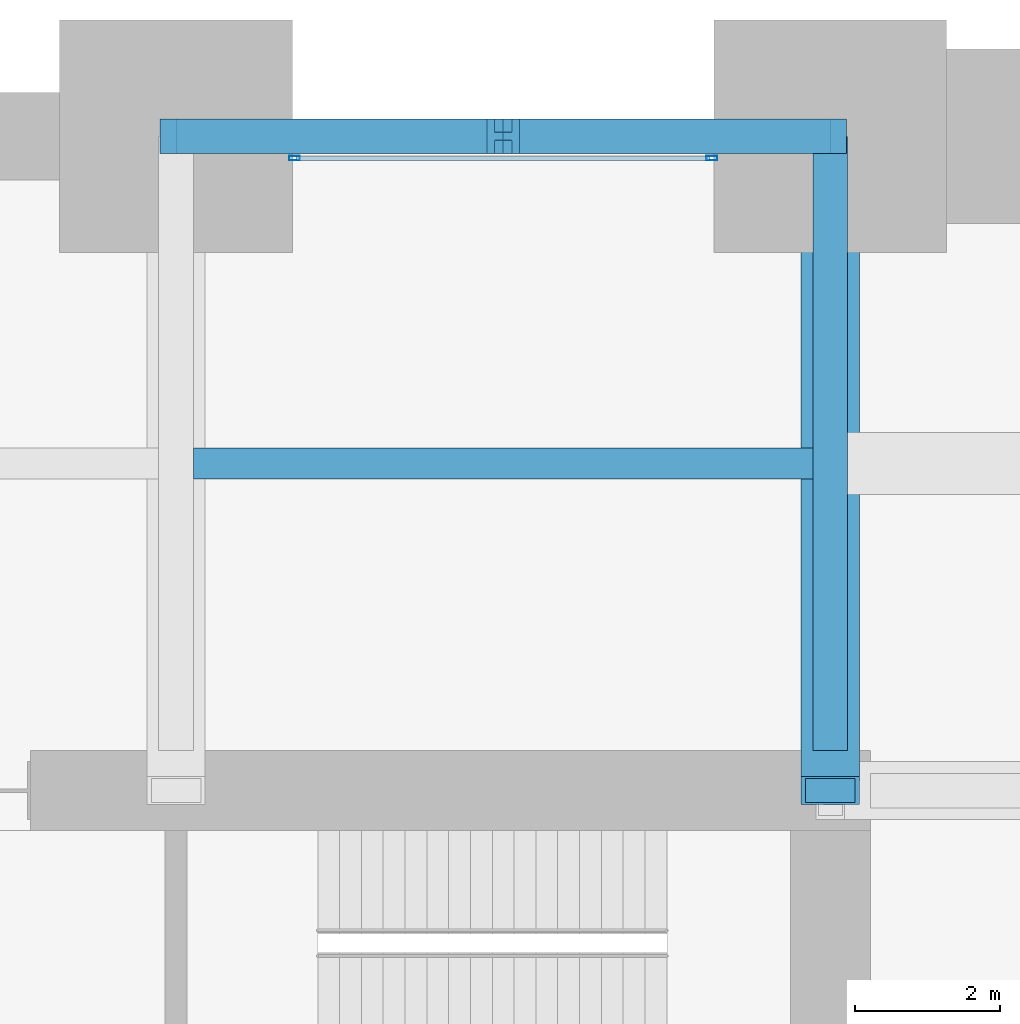
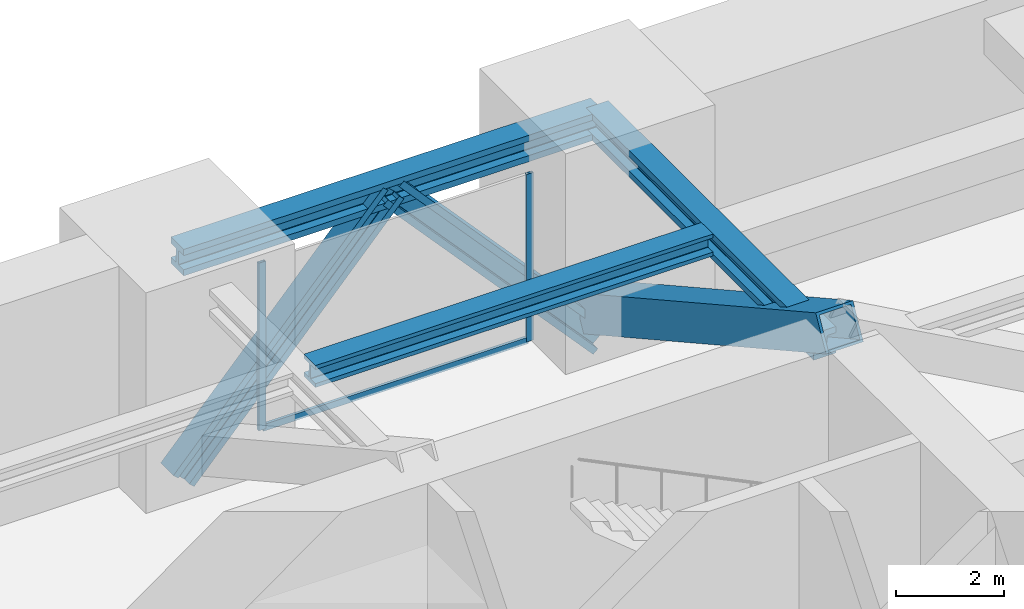
# One storey, part 29 of 38: 6 members, 3 beams, 1 element without a shape of its own.
"""IFC4 building model written with IfcOpenShell, lengths in metres."""

from ifc_helpers import new_model, si_unit, direction, frame, origin, origin_2d, place, context, subcontext, project, spatial, hollow_rectangle, i_section, extrude, material, material_profile, profile_set, type_object, element, aggregate, save


model = new_model("IFC4")

# Units and contexts
model_context = context("Model", 3, precision=1e-05, world=origin(), true_north=direction((0.0, 1.0)))
body_context = subcontext(model_context, "Body", "Model", "MODEL_VIEW")
ifc_project = project(units=[si_unit("LENGTHUNIT", "METRE"), si_unit("AREAUNIT", "SQUARE_METRE"), si_unit("VOLUMEUNIT", "CUBIC_METRE"), si_unit("PLANEANGLEUNIT", "RADIAN"), si_unit("MASSUNIT", "GRAM", prefix="KILO")], contexts=[model_context])

# Site, building, storey
site_placement = place(None, origin())
site = spatial("IfcSite", under=ifc_project, at=site_placement, CompositionType="ELEMENT")
building_placement = place(site_placement, origin())
building = spatial("IfcBuilding", under=site, at=building_placement, Name="Zorevar Civic Tower", CompositionType="ELEMENT")
storey_placement = place(building_placement, frame((0.0, 0.0, 157.199951171875)))
storey = spatial("IfcBuildingStorey", under=building, at=storey_placement, Name="L38", CompositionType="ELEMENT", Elevation=157.199951171875)

# Beam
ifc_material_1 = material(Name="Steel S460M (HISTAR 460)", Category="steel")
ifc_material_profile_1 = material_profile(ifc_material_1, i_section(OverallWidth=0.47607421875, OverallDepth=0.60009765625, WebThickness=0.10009765625, FlangeThickness=0.139892578125, FilletRadius=0.014892578125, at=origin_2d()), Name="HD 400x1299")
ifc_profile_set_1 = profile_set([ifc_material_profile_1], Name="Steel S460M (HISTAR 460)")
beam_type_1 = type_object("IfcBeamType", Name="Belt chord HD 400x1299", PredefinedType="BEAM", material=ifc_profile_set_1)
beam_1_placement = place(storey_placement, frame((36.0, 45.0, 4.300048828125), z_axis=(1.0, 0.0, 0.0), x_axis=(0.0, 1.0, 0.0)))
element("IfcBeam", 1, at=beam_1_placement, inside=storey, type_object=beam_type_1, Name="Belt chord L39", PredefinedType="BEAM", context=body_context, shape_type="SweptSolid", body=[
    extrude(i_section(OverallWidth=0.47607421875, OverallDepth=0.60009765625, WebThickness=0.10009765625, FlangeThickness=0.139892578125, FilletRadius=0.014892578125, at=origin_2d()), origin(), (0.0, 0.0, 1.0), 9.0),
])

# Members
ifc_material_2 = material(Name="Steel S460M (HISTAR 460)", Category="steel")
ifc_material_profile_2 = material_profile(ifc_material_2, i_section(OverallWidth=0.47607421875, OverallDepth=0.60009765625, WebThickness=0.10009765625, FlangeThickness=0.139892578125, FilletRadius=0.014892578125, at=origin_2d()), Name="HD 400x1299")
ifc_profile_set_2 = profile_set([ifc_material_profile_2], Name="Steel S460M (HISTAR 460)")
member_type_1 = type_object("IfcMemberType", Name="Belt strut HD 400x1299", PredefinedType="BRACE", material=ifc_profile_set_2)
for number, where, z_axis, x_axis, name in (
    (2, (36.0, 45.0, -0.64990234375), (0.672676426978, 0.0, 0.739936770669), (0.0, 1.0, 0.0), "Belt strut N L38"),
    (3, (45.0, 45.0, -0.64990234375), (-0.672676426978, 0.0, 0.739936770669), (0.0, -1.0, 0.0), "Belt strut N L38"),
):
    element("IfcMember", number, at=place(storey_placement, frame(where, z_axis=z_axis, x_axis=x_axis)), inside=storey, type_object=member_type_1, Name=name, PredefinedType="BRACE", context=body_context, shape_type="SweptSolid", body=[
        extrude(i_section(OverallWidth=0.47607421875, OverallDepth=0.60009765625, WebThickness=0.10009765625, FlangeThickness=0.139892578125, FilletRadius=0.014892578125, at=origin_2d()), origin(), (0.0, 0.0, 1.0), 6.689697265625),
    ])

# Curtain wall, members
ifc_material_3 = material(Name="Black aluminium louvres", Category="aluminium")
curtain_wall_type = type_object("IfcCurtainWallType", Name="Louvred curtain wall CW6 refuge", PredefinedType="NOTDEFINED", material=ifc_material_3)
curtain_wall_placement = place(storey_placement, origin())
curtain_wall = element("IfcCurtainWall", 4, at=curtain_wall_placement, inside=storey, type_object=curtain_wall_type, Name="CW6 L38", PredefinedType="NOTDEFINED")
ifc_material_4 = material(Name="Aluminium, black anodised", Category="aluminium")
ifc_material_profile_3 = material_profile(ifc_material_4, hollow_rectangle(XDim=0.06005859375, YDim=0.14990234375, WallThickness=0.00390625, at=origin_2d()), Name="AL 150x60x4")
ifc_profile_set_3 = profile_set([ifc_material_profile_3], Name="Aluminium, black anodised")
member_type_2 = type_object("IfcMemberType", Name="CW6 mullion AL 150x60x4", PredefinedType="MULLION", material=ifc_profile_set_3)
member_1_placement = place(storey_placement, frame((37.6298828125, 44.699951171875, 0.0), z_axis=(0.0, 0.0, 1.0), x_axis=(0.0, 1.0, 0.0)))
member_1 = element("IfcMember", 5, at=member_1_placement, type_object=member_type_2, Name="CW6 mullion 1", PredefinedType="MULLION", context=body_context, shape_type="SweptSolid", body=[
    extrude(hollow_rectangle(XDim=0.06005859375, YDim=0.14990234375, WallThickness=0.00390625, at=origin_2d()), origin(), (0.0, 0.0, 1.0), 3.800048828125),
])
member_2_placement = place(storey_placement, frame((43.3701171875, 44.699951171875, 0.0), z_axis=(0.0, 0.0, 1.0), x_axis=(0.0, 1.0, 0.0)))
member_2 = element("IfcMember", 6, at=member_2_placement, type_object=member_type_2, Name="CW6 mullion 2", PredefinedType="MULLION", context=body_context, shape_type="SweptSolid", body=[
    extrude(hollow_rectangle(XDim=0.06005859375, YDim=0.14990234375, WallThickness=0.00390625, at=origin_2d()), origin(), (0.0, 0.0, 1.0), 3.800048828125),
])
ifc_material_5 = material(Name="Aluminium, black anodised", Category="aluminium")
ifc_material_profile_4 = material_profile(ifc_material_5, hollow_rectangle(XDim=0.06005859375, YDim=0.14990234375, WallThickness=0.00390625, at=origin_2d()), Name="AL 150x60x4")
ifc_profile_set_4 = profile_set([ifc_material_profile_4], Name="Aluminium, black anodised")
member_type_3 = type_object("IfcMemberType", Name="CW6 transom AL 150x60x4", PredefinedType="USERDEFINED", material=ifc_profile_set_4)
member_3_placement = place(storey_placement, frame((37.659912109375, 44.699951171875, 0.030029296875), z_axis=(1.0, 0.0, 0.0), x_axis=(0.0, 1.0, 0.0)))
member_3 = element("IfcMember", 7, at=member_3_placement, type_object=member_type_3, Name="CW6 sill transom", ObjectType="TRANSOM", PredefinedType="USERDEFINED", context=body_context, shape_type="SweptSolid", body=[
    extrude(hollow_rectangle(XDim=0.06005859375, YDim=0.14990234375, WallThickness=0.00390625, at=origin_2d()), origin(), (0.0, 0.0, 1.0), 5.68017578125),
])
aggregate(curtain_wall, [member_1, member_2, member_3])

# Beams
ifc_material_6 = material(Name="Steel S460M (HISTAR 460)", Category="steel")
ifc_material_profile_5 = material_profile(ifc_material_6, i_section(OverallWidth=0.431884765625, OverallDepth=0.498046875, WebThickness=0.0556640625, FlangeThickness=0.0888671875, FilletRadius=0.014892578125, at=origin_2d()), Name="HD 400x744")
ifc_profile_set_5 = profile_set([ifc_material_profile_5], Name="Steel S460M (HISTAR 460)")
beam_type_2 = type_object("IfcBeamType", Name="Core bay beam HD 400x744", PredefinedType="BEAM", material=ifc_profile_set_5)
beam_2_placement = place(storey_placement, frame((36.238037109375, 40.5, 4.35107421875), z_axis=(1.0, 0.0, 0.0), x_axis=(0.0, 1.0, 0.0)))
element("IfcBeam", 8, at=beam_2_placement, inside=storey, type_object=beam_type_2, Name="Secondary beam L39", PredefinedType="BEAM", context=body_context, shape_type="SweptSolid", body=[
    extrude(i_section(OverallWidth=0.431884765625, OverallDepth=0.498046875, WebThickness=0.0556640625, FlangeThickness=0.0888671875, FilletRadius=0.014892578125, at=origin_2d()), origin(), (0.0, 0.0, 1.0), 8.52392578125),
])
ifc_material_7 = material(Name="Steel S460M (HISTAR 460)", Category="steel")
ifc_material_profile_6 = material_profile(ifc_material_7, i_section(OverallWidth=0.47607421875, OverallDepth=0.60009765625, WebThickness=0.10009765625, FlangeThickness=0.139892578125, FilletRadius=0.014892578125, at=origin_2d()), Name="HD 400x1299")
ifc_profile_set_6 = profile_set([ifc_material_profile_6], Name="Steel S460M (HISTAR 460)")
beam_type_3 = type_object("IfcBeamType", Name="Outrigger chord HD 400x1299", PredefinedType="BEAM", material=ifc_profile_set_6)
beam_3_placement = place(storey_placement, frame((45.0, 36.550048828125, 4.300048828125), z_axis=(0.0, 1.0, 0.0), x_axis=(-1.0, 0.0, 0.0)))
element("IfcBeam", 9, at=beam_3_placement, inside=storey, type_object=beam_type_3, Name="Outrigger chord L39", PredefinedType="BEAM", context=body_context, shape_type="SweptSolid", body=[
    extrude(i_section(OverallWidth=0.47607421875, OverallDepth=0.60009765625, WebThickness=0.10009765625, FlangeThickness=0.139892578125, FilletRadius=0.014892578125, at=origin_2d()), origin(), (0.0, 0.0, 1.0), 8.449951171875),
])

# Member
ifc_material_8 = material(Name="Steel S460M (HISTAR 460)", Category="steel")
ifc_material_profile_7 = material_profile(ifc_material_8, hollow_rectangle(XDim=0.800048828125, YDim=0.800048828125, WallThickness=0.06005859375, at=origin_2d()), Name="BOX 800x800x60")
ifc_profile_set_7 = profile_set([ifc_material_profile_7], Name="Steel S460M (HISTAR 460)")
member_type_4 = type_object("IfcMemberType", Name="Outrigger diagonal BOX 800x800x60", PredefinedType="BRACE", material=ifc_profile_set_7)
member_4_placement = place(storey_placement, frame((45.0, 36.0, 5.0), z_axis=(0.0, 0.874157276122, -0.485642931179), x_axis=(-1.0, 0.0, 0.0)))
element("IfcMember", 10, at=member_4_placement, inside=storey, type_object=member_type_4, Name="Outrigger diagonal N L38", PredefinedType="BRACE", context=body_context, shape_type="SweptSolid", body=[
    extrude(hollow_rectangle(XDim=0.800048828125, YDim=0.800048828125, WallThickness=0.06005859375, at=origin_2d()), origin(), (0.0, 0.0, 1.0), 10.295654296875),
])

save(model, "model.ifc")
